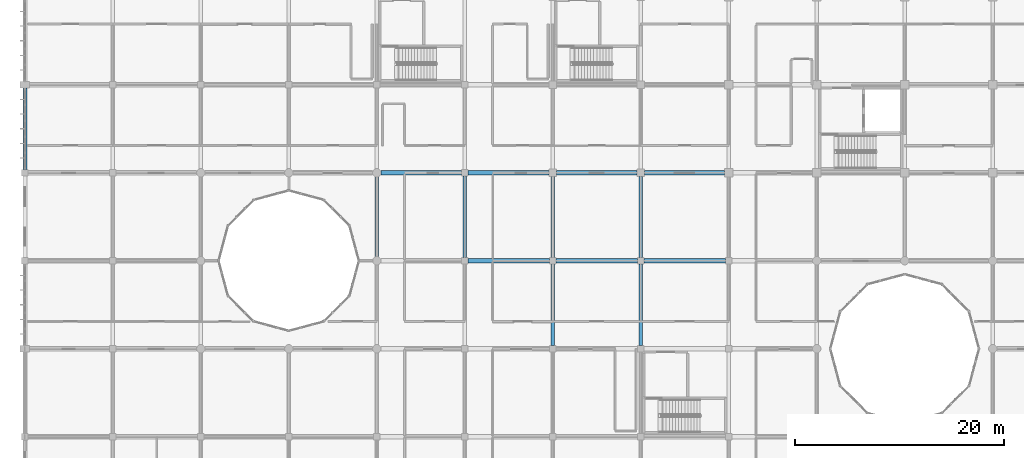
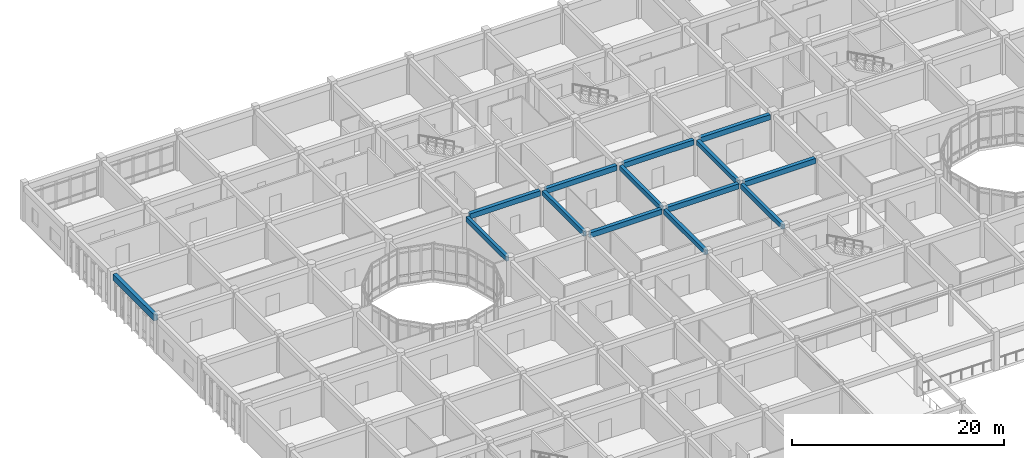
# One storey, part 40 of 144: 14 beams.
"""IFC4 building model written with IfcOpenShell, lengths in metres."""

from ifc_helpers import new_model, si_unit, direction, frame, origin, origin_2d, place, context, subcontext, project, spatial, rectangle, extrude, material, material_profile, profile_set, type_object, element, save


model = new_model("IFC4")

# Units and contexts
model_context = context("Model", 3, precision=1e-05, world=origin(), true_north=direction((0.0, 1.0)))
body_context = subcontext(model_context, "Body", "Model", "MODEL_VIEW")
ifc_project = project(units=[si_unit("LENGTHUNIT", "METRE"), si_unit("AREAUNIT", "SQUARE_METRE"), si_unit("VOLUMEUNIT", "CUBIC_METRE"), si_unit("PLANEANGLEUNIT", "RADIAN"), si_unit("MASSUNIT", "GRAM", prefix="KILO")], contexts=[model_context])

# Site, building, storey
site_placement = place(None, origin())
site = spatial("IfcSite", under=ifc_project, at=site_placement, CompositionType="ELEMENT")
building_placement = place(site_placement, origin())
building = spatial("IfcBuilding", under=site, at=building_placement, Name="Bramfleet General Hospital", CompositionType="ELEMENT")
storey_placement = place(building_placement, frame((0.0, 0.0, 4.800048828125)))
storey = spatial("IfcBuildingStorey", under=building, at=storey_placement, Name="L01", CompositionType="ELEMENT", Elevation=4.800048828125)

# Beams
ifc_material = material(Name="Concrete C35/45", Category="concrete")
ifc_material_profile_1 = material_profile(ifc_material, rectangle(XDim=0.35009765625, YDim=0.550048828125, at=origin_2d()), Name="RC BM 550x350")
ifc_profile_set_1 = profile_set([ifc_material_profile_1], Name="Concrete C35/45")
beam_type_1 = type_object("IfcBeamType", Name="BM-RC550", PredefinedType="BEAM", material=ifc_profile_set_1)
beam_1_placement = place(storey_placement, frame((33.60009765625, 84.39990234375, 3.875), z_axis=(0.0, 1.0, 0.0), x_axis=(-1.0, 0.0, 0.0)))
element("IfcBeam", 1, at=beam_1_placement, inside=storey, type_object=beam_type_1, Name="L01 Grid Beam Y 04-10", PredefinedType="BEAM", context=body_context, shape_type="SweptSolid", body=[
    extrude(rectangle(XDim=0.35009765625, YDim=0.550048828125, at=origin_2d()), origin(), (0.0, 0.0, 1.0), 7.60009765625),
])
for number, where, z_axis, x_axis, name in (
    (2, (42.0, 84.300048828125, 3.875), (0.0, 1.0, 0.0), (-1.0, 0.0, 0.0), "L01 Grid Beam Y 05-10"),
    (3, (50.39990234375, 75.89990234375, 3.875), (0.0, 1.0, 0.0), (-1.0, 0.0, 0.0), "L01 Grid Beam Y 06-09"),
):
    element("IfcBeam", number, at=place(storey_placement, frame(where, z_axis=z_axis, x_axis=x_axis)), inside=storey, type_object=beam_type_1, Name=name, PredefinedType="BEAM", context=body_context, shape_type="SweptSolid", body=[
        extrude(rectangle(XDim=0.35009765625, YDim=0.550048828125, at=origin_2d()), origin(), (0.0, 0.0, 1.0), 7.800048828125),
    ])
beam_2_placement = place(storey_placement, frame((50.39990234375, 84.300048828125, 3.875), z_axis=(0.0, 1.0, 0.0), x_axis=(-1.0, 0.0, 0.0)))
element("IfcBeam", 4, at=beam_2_placement, inside=storey, type_object=beam_type_1, Name="L01 Grid Beam Y 06-10", PredefinedType="BEAM", context=body_context, shape_type="SweptSolid", body=[
    extrude(rectangle(XDim=0.35009765625, YDim=0.550048828125, at=origin_2d()), origin(), (0.0, 0.0, 1.0), 7.75),
])
beam_3_placement = place(storey_placement, frame((58.800048828125, 75.89990234375, 3.875), z_axis=(0.0, 1.0, 0.0), x_axis=(-1.0, 0.0, 0.0)))
element("IfcBeam", 5, at=beam_3_placement, inside=storey, type_object=beam_type_1, Name="L01 Grid Beam Y 07-09", PredefinedType="BEAM", context=body_context, shape_type="SweptSolid", body=[
    extrude(rectangle(XDim=0.35009765625, YDim=0.550048828125, at=origin_2d()), origin(), (0.0, 0.0, 1.0), 7.800048828125),
])
beam_4_placement = place(storey_placement, frame((58.800048828125, 84.300048828125, 3.875), z_axis=(0.0, 1.0, 0.0), x_axis=(-1.0, 0.0, 0.0)))
element("IfcBeam", 6, at=beam_4_placement, inside=storey, type_object=beam_type_1, Name="L01 Grid Beam Y 07-10", PredefinedType="BEAM", context=body_context, shape_type="SweptSolid", body=[
    extrude(rectangle(XDim=0.35009765625, YDim=0.550048828125, at=origin_2d()), origin(), (0.0, 0.0, 1.0), 7.75),
])
ifc_material_profile_2 = material_profile(ifc_material, rectangle(XDim=0.39990234375, YDim=0.60009765625, at=origin_2d()), Name="RC BM 600x400")
ifc_profile_set_2 = profile_set([ifc_material_profile_2], Name="Concrete C35/45")
beam_type_2 = type_object("IfcBeamType", Name="BM-RC600", PredefinedType="BEAM", material=ifc_profile_set_2)
beam_5_placement = place(storey_placement, frame((34.0, 92.39990234375, 3.849853515625), z_axis=(1.0, 0.0, 0.0), x_axis=(0.0, 1.0, 0.0)))
element("IfcBeam", 7, at=beam_5_placement, inside=storey, type_object=beam_type_2, Name="L01 Grid Beam X 04-11", PredefinedType="BEAM", context=body_context, shape_type="SweptSolid", body=[
    extrude(rectangle(XDim=0.39990234375, YDim=0.60009765625, at=origin_2d()), origin(), (0.0, 0.0, 1.0), 7.699951171875),
])
beam_6_placement = place(storey_placement, frame((42.300048828125, 84.0, 3.849853515625), z_axis=(1.0, 0.0, 0.0), x_axis=(0.0, 1.0, 0.0)))
element("IfcBeam", 8, at=beam_6_placement, inside=storey, type_object=beam_type_2, Name="L01 Grid Beam X 05-10", PredefinedType="BEAM", context=body_context, shape_type="SweptSolid", body=[
    extrude(rectangle(XDim=0.39990234375, YDim=0.60009765625, at=origin_2d()), origin(), (0.0, 0.0, 1.0), 7.800048828125),
])
beam_7_placement = place(storey_placement, frame((42.300048828125, 92.39990234375, 3.849853515625), z_axis=(1.0, 0.0, 0.0), x_axis=(0.0, 1.0, 0.0)))
element("IfcBeam", 9, at=beam_7_placement, inside=storey, type_object=beam_type_2, Name="L01 Grid Beam X 05-11", PredefinedType="BEAM", context=body_context, shape_type="SweptSolid", body=[
    extrude(rectangle(XDim=0.39990234375, YDim=0.60009765625, at=origin_2d()), origin(), (0.0, 0.0, 1.0), 7.75),
])
beam_8_placement = place(storey_placement, frame((50.699951171875, 84.0, 3.849853515625), z_axis=(1.0, 0.0, 0.0), x_axis=(0.0, 1.0, 0.0)))
element("IfcBeam", 10, at=beam_8_placement, inside=storey, type_object=beam_type_2, Name="L01 Grid Beam X 06-10", PredefinedType="BEAM", context=body_context, shape_type="SweptSolid", body=[
    extrude(rectangle(XDim=0.39990234375, YDim=0.60009765625, at=origin_2d()), origin(), (0.0, 0.0, 1.0), 7.800048828125),
])
beam_9_placement = place(storey_placement, frame((50.75, 92.39990234375, 3.849853515625), z_axis=(1.0, 0.0, 0.0), x_axis=(0.0, 1.0, 0.0)))
element("IfcBeam", 11, at=beam_9_placement, inside=storey, type_object=beam_type_2, Name="L01 Grid Beam X 06-11", PredefinedType="BEAM", context=body_context, shape_type="SweptSolid", body=[
    extrude(rectangle(XDim=0.39990234375, YDim=0.60009765625, at=origin_2d()), origin(), (0.0, 0.0, 1.0), 7.699951171875),
])
beam_10_placement = place(storey_placement, frame((59.10009765625, 84.0, 3.849853515625), z_axis=(1.0, 0.0, 0.0), x_axis=(0.0, 1.0, 0.0)))
element("IfcBeam", 12, at=beam_10_placement, inside=storey, type_object=beam_type_2, Name="L01 Grid Beam X 07-10", PredefinedType="BEAM", context=body_context, shape_type="SweptSolid", body=[
    extrude(rectangle(XDim=0.39990234375, YDim=0.60009765625, at=origin_2d()), origin(), (0.0, 0.0, 1.0), 7.7998046875),
])
beam_11_placement = place(storey_placement, frame((59.14990234375, 92.39990234375, 3.849853515625), z_axis=(1.0, 0.0, 0.0), x_axis=(0.0, 1.0, 0.0)))
element("IfcBeam", 13, at=beam_11_placement, inside=storey, type_object=beam_type_2, Name="L01 Grid Beam X 07-11", PredefinedType="BEAM", context=body_context, shape_type="SweptSolid", body=[
    extrude(rectangle(XDim=0.39990234375, YDim=0.60009765625, at=origin_2d()), origin(), (0.0, 0.0, 1.0), 7.650146484375),
])
ifc_material_profile_3 = material_profile(ifc_material, rectangle(XDim=0.39990234375, YDim=0.699951171875, at=origin_2d()), Name="RC SP 700x400")
ifc_profile_set_3 = profile_set([ifc_material_profile_3], Name="Concrete C35/45")
beam_type_3 = type_object("IfcBeamType", Name="BM-SP700", PredefinedType="SPANDREL", material=ifc_profile_set_3)
beam_12_placement = place(storey_placement, frame((0.0, 92.699951171875, 3.800048828125), z_axis=(0.0, 1.0, 0.0), x_axis=(-1.0, 0.0, 0.0)))
element("IfcBeam", 14, at=beam_12_placement, inside=storey, type_object=beam_type_3, Name="L01 Grid Beam Y 00-11", PredefinedType="SPANDREL", context=body_context, shape_type="SweptSolid", body=[
    extrude(rectangle(XDim=0.39990234375, YDim=0.699951171875, at=origin_2d()), origin(), (0.0, 0.0, 1.0), 7.800048828125),
])

save(model, "model.ifc")
